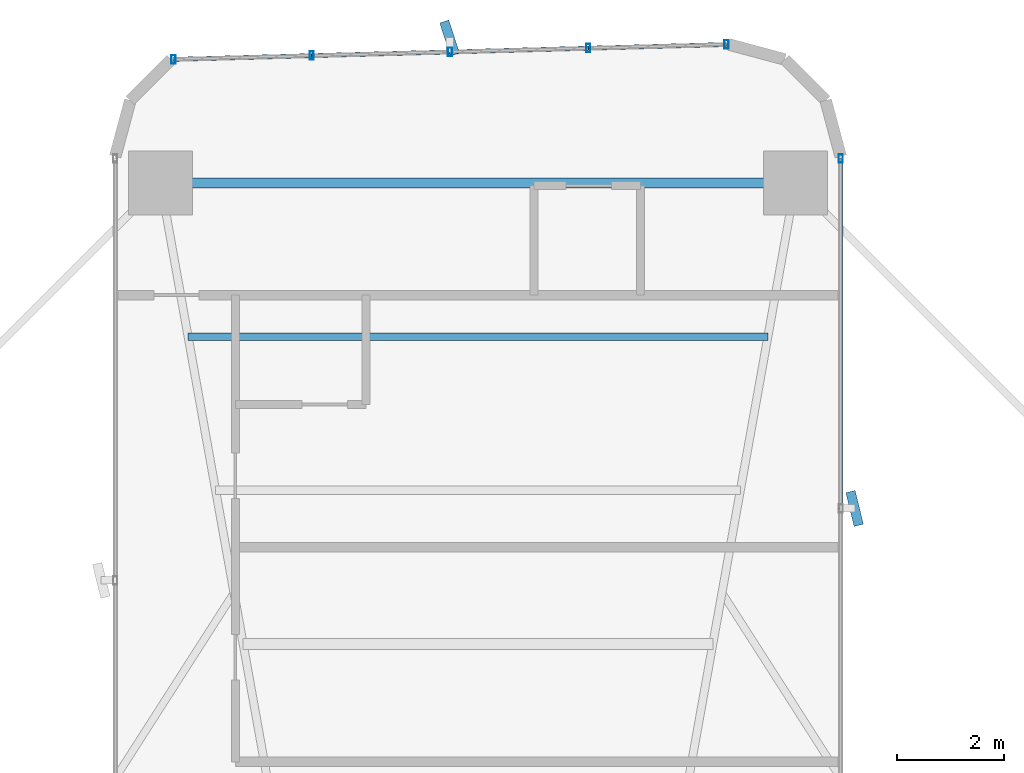
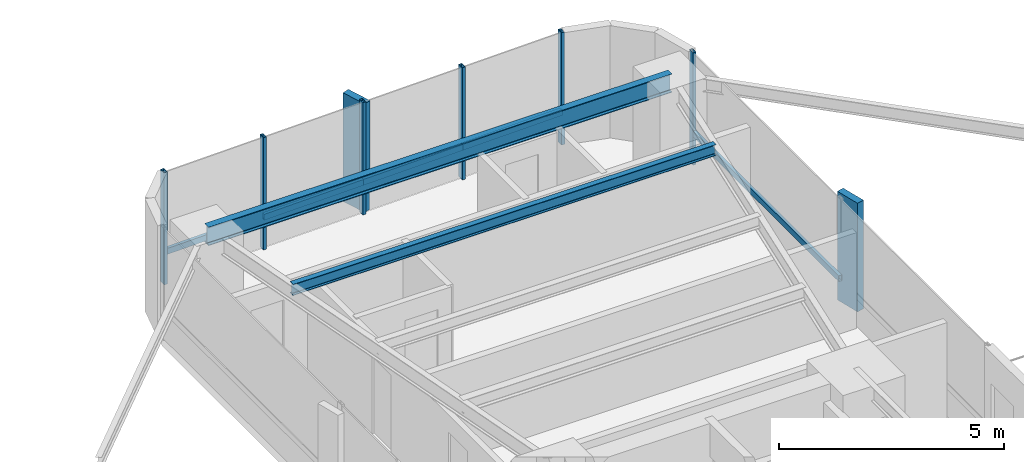
# One storey, part 19 of 26: 13 members, 2 beams, 2 elements without a shape of their own.
"""IFC4 building model written with IfcOpenShell, lengths in metres."""

import ifcopenshell
import ifcopenshell.guid

model = None  # the IFC model being written
_history = None  # IfcOwnerHistory: only IFC2X3 demands one
_inside = {}  # id of a spatial element -> (the spatial element, [elements in it])
_under = {}  # id of a project, library or spatial element -> (it, [spatial elements below it])
_declared = {}  # id of a project -> (the project, [libraries it declares])
_typed = {}  # id of a type object -> (the type object, [elements of that type])
_made_of = {}  # id of a material, layer set ... -> (it, [elements and type objects made of it])


def new_model(schema):
    """Start an empty IFC model of exactly this schema.

    Asked for "IFC4X3", IfcOpenShell would pick the latest addendum, in which some entities
    have other attributes; the version numbers below select the first issue.
    IFC2X3 requires an IfcOwnerHistory on every rooted entity: one is made here for all.
    """
    global model, _history
    if schema == "IFC4X3":
        model = ifcopenshell.file(schema_version=(4, 3, 0, 0))
    else:
        model = ifcopenshell.file(schema=schema)
    _inside.clear()
    _under.clear()
    _declared.clear()
    _typed.clear()
    _made_of.clear()
    _history = None
    if model.schema == "IFC2X3":
        org = make("IfcOrganization", Name="unknown")
        user = make(
            "IfcPersonAndOrganization",
            ThePerson=make("IfcPerson", FamilyName="unknown"),
            TheOrganization=org,
        )
        app = make(
            "IfcApplication",
            ApplicationDeveloper=org,
            Version="unknown",
            ApplicationFullName="unknown",
            ApplicationIdentifier="unknown",
        )
        _history = make(
            "IfcOwnerHistory",
            OwningUser=user,
            OwningApplication=app,
            ChangeAction="ADDED",
            CreationDate=0,
        )
    return model


def make(cls, **values):
    """One entity of the class cls with the attributes given. An attribute that is None is left unset."""
    return model.create_entity(
        cls, **{name: value for name, value in values.items() if value is not None}
    )


def rooted(cls, **values):
    """An entity with a GlobalId (a new one), such as an element, a storey or a relation."""
    return make(cls, GlobalId=ifcopenshell.guid.new(), OwnerHistory=_history, **values)


def si_unit(unit_type, name, prefix=None):
    """IfcSIUnit, for example si_unit("LENGTHUNIT", "METRE", prefix="MILLI")."""
    return make("IfcSIUnit", UnitType=unit_type, Prefix=prefix, Name=name)


def assignment(units):
    """IfcUnitAssignment: the units of a project."""
    return None if units is None else make("IfcUnitAssignment", Units=units)


def point(xyz):
    """IfcCartesianPoint."""
    return None if xyz is None else make("IfcCartesianPoint", Coordinates=xyz)


def direction(xyz):
    """IfcDirection."""
    return None if xyz is None else make("IfcDirection", DirectionRatios=xyz)


def frame(location, z_axis=None, x_axis=None):
    """IfcAxis2Placement3D, a coordinate frame: its origin and axes. An axis left out is left unset."""
    return make(
        "IfcAxis2Placement3D",
        Location=point(location),
        Axis=direction(z_axis),
        RefDirection=direction(x_axis),
    )


def frame_2d(location, x_axis=None):
    """IfcAxis2Placement2D, a coordinate frame in the plane: its origin and x axis."""
    return make(
        "IfcAxis2Placement2D", Location=point(location), RefDirection=direction(x_axis)
    )


def origin():
    """The frame at (0, 0, 0) with its axes left unset."""
    return frame((0.0, 0.0, 0.0))


def origin_2d():
    """The frame at (0, 0) in the plane with its x axis left unset."""
    return frame_2d((0.0, 0.0))


def place(relative_to, where):
    """IfcLocalPlacement: puts the frame where relative to a parent placement (None: the world)."""
    return make(
        "IfcLocalPlacement", PlacementRelTo=relative_to, RelativePlacement=where
    )


def context(
    kind, dimensions, precision=None, world=None, true_north=None, identifier=None
):
    """IfcGeometricRepresentationContext, for example the 3D "Model" context."""
    return make(
        "IfcGeometricRepresentationContext",
        ContextIdentifier=identifier,
        ContextType=kind,
        CoordinateSpaceDimension=dimensions,
        Precision=precision,
        WorldCoordinateSystem=world,
        TrueNorth=true_north,
    )


def subcontext(parent, identifier, kind, view, scale=None):
    """IfcGeometricRepresentationSubContext, for example "Body" below "Model"."""
    return make(
        "IfcGeometricRepresentationSubContext",
        ContextIdentifier=identifier,
        ContextType=kind,
        ParentContext=parent,
        TargetScale=scale,
        TargetView=view,
    )


def project(units=None, contexts=None):
    """IfcProject with its units and contexts."""
    return rooted(
        "IfcProject",
        Name="project",
        RepresentationContexts=contexts,
        UnitsInContext=assignment(units),
    )


def spatial(cls, under=None, at=None, **own):
    """A site, building, storey or space (cls), placed at a placement, below another one or the project."""
    s = rooted(cls, ObjectPlacement=at, **own)
    if under is not None:
        _under.setdefault(under.id(), (under, []))[1].append(s)
    return s


def profile(cls, at=None, kind="AREA", **sizes):
    """A parametric profile (cls). Its sizes go by their IFC names, for example OverallWidth=200.0."""
    return make(cls, ProfileType=kind, Position=at, **sizes)


def rectangle(**sizes):
    """IfcRectangleProfileDef."""
    return profile("IfcRectangleProfileDef", **sizes)


def hollow_rectangle(**sizes):
    """IfcRectangleHollowProfileDef."""
    return profile("IfcRectangleHollowProfileDef", **sizes)


def i_section(**sizes):
    """IfcIShapeProfileDef."""
    return profile("IfcIShapeProfileDef", **sizes)


def extrude(swept, where, along, depth):
    """IfcExtrudedAreaSolid: the profile swept, set in the frame where, extruded along a direction by depth."""
    return make(
        "IfcExtrudedAreaSolid",
        SweptArea=swept,
        Position=where,
        ExtrudedDirection=direction(along),
        Depth=depth,
    )


def shape(context_of_items, identifier, shape_type, items):
    """IfcShapeRepresentation: the items that make up one representation, for example the "Body"."""
    return make(
        "IfcShapeRepresentation",
        ContextOfItems=context_of_items,
        RepresentationIdentifier=identifier,
        RepresentationType=shape_type,
        Items=items,
    )


def source(mapping_origin, context_of_items, identifier, shape_type, items):
    """IfcRepresentationMap: a shape defined once, which mapped items show again and again."""
    return make(
        "IfcRepresentationMap",
        MappingOrigin=mapping_origin,
        MappedRepresentation=shape(context_of_items, identifier, shape_type, items),
    )


def transform(
    local_origin,
    x_axis=None,
    y_axis=None,
    z_axis=None,
    scale=None,
    scale2=None,
    scale3=None,
    uniform=True,
):
    """IfcCartesianTransformationOperator3D, or its non-uniform kind. x_axis, y_axis, z_axis: its Axis1, 2, 3."""
    if uniform:
        return make(
            "IfcCartesianTransformationOperator3D",
            Axis1=direction(x_axis),
            Axis2=direction(y_axis),
            LocalOrigin=point(local_origin),
            Scale=scale,
            Axis3=direction(z_axis),
        )
    return make(
        "IfcCartesianTransformationOperator3DnonUniform",
        Axis1=direction(x_axis),
        Axis2=direction(y_axis),
        LocalOrigin=point(local_origin),
        Scale=scale,
        Axis3=direction(z_axis),
        Scale2=scale2,
        Scale3=scale3,
    )


def mapped(mapping_source, mapping_target):
    """IfcMappedItem: shows the shape of a source again, moved by a transform."""
    return make(
        "IfcMappedItem", MappingSource=mapping_source, MappingTarget=mapping_target
    )


def material(Name=None, Category=None):
    """IfcMaterial."""
    return make("IfcMaterial", Name=Name, Category=Category)


def material_profile(
    of_material, cross_section, Name=None, Category=None, Priority=None
):
    """IfcMaterialProfile: a cross section and its material."""
    return make(
        "IfcMaterialProfile",
        Name=Name,
        Material=of_material,
        Profile=cross_section,
        Priority=Priority,
        Category=Category,
    )


def profile_set(profiles, Name=None, composite=None):
    """IfcMaterialProfileSet."""
    return make(
        "IfcMaterialProfileSet",
        Name=Name,
        MaterialProfiles=profiles,
        CompositeProfile=composite,
    )


def made_of(thing, what):
    """Note that an element or type object is made of a material, layer set ...; save() writes the relation."""
    if what is not None:
        _made_of.setdefault(what.id(), (what, []))[1].append(thing)
    return thing


def type_object(cls, material=None, **own):
    """A type object (cls), such as IfcWallType, which elements share."""
    return made_of(rooted(cls, **own), material)


def element(
    cls,
    number,
    at=None,
    inside=None,
    cuts=None,
    type_object=None,
    material=None,
    context=None,
    identifier="Body",
    shape_type=None,
    held_by="IfcProductDefinitionShape",
    body=None,
    shapes=None,
    **own,
):
    """One element of the class cls, such as IfcWall. Its Tag is "e" and its number.

    at: its placement. inside: the storey or other place that contains it. cuts: it is an
    opening in that element (IfcRelVoidsElement). A single representation is given by context,
    identifier, shape_type and body (its items); several are given by shapes. held_by: the class
    of the entity that holds the representations. save() writes the other relations.
    """
    e = rooted(cls, Tag="e%d" % number, ObjectPlacement=at, **own)
    if body is not None:
        shapes = [shape(context, identifier, shape_type, body)]
    if shapes is not None:
        e.Representation = make(held_by, Representations=shapes)
    if inside is not None:
        _inside.setdefault(inside.id(), (inside, []))[1].append(e)
    if cuts is not None:
        rooted(
            "IfcRelVoidsElement", RelatingBuildingElement=cuts, RelatedOpeningElement=e
        )
    if type_object is not None:
        _typed.setdefault(type_object.id(), (type_object, []))[1].append(e)
    return made_of(e, material)


def aggregate(whole, parts):
    """IfcRelAggregates: a whole, such as a stair, and the parts it consists of."""
    return rooted("IfcRelAggregates", RelatingObject=whole, RelatedObjects=parts)


def save(model, path):
    """Write the relations noted so far, then the file.

    IfcRelAggregates (storeys below a building ...), IfcRelContainedInSpatialStructure (elements
    in a storey), IfcRelDefinesByType, IfcRelAssociatesMaterial and IfcRelDeclares: one each for
    every whole, place, type object, material and project.
    """
    for whole, parts in _under.values():
        aggregate(whole, parts)
    for where, things in _inside.values():
        rooted(
            "IfcRelContainedInSpatialStructure",
            RelatedElements=things,
            RelatingStructure=where,
        )
    for kind, things in _typed.values():
        rooted("IfcRelDefinesByType", RelatedObjects=things, RelatingType=kind)
    for what, things in _made_of.values():
        rooted("IfcRelAssociatesMaterial", RelatedObjects=things, RelatingMaterial=what)
    for by, libraries in _declared.values():
        rooted("IfcRelDeclares", RelatingContext=by, RelatedDefinitions=libraries)
    model.write(path)


model = new_model("IFC4")

# Units and contexts
model_context = context("Model", 3, precision=1e-05, world=origin(), true_north=direction((0.0, 1.0)))
body_context = subcontext(model_context, "Body", "Model", "MODEL_VIEW")
ifc_project = project(units=[si_unit("LENGTHUNIT", "METRE"), si_unit("AREAUNIT", "SQUARE_METRE"), si_unit("VOLUMEUNIT", "CUBIC_METRE"), si_unit("PLANEANGLEUNIT", "RADIAN"), si_unit("MASSUNIT", "GRAM", prefix="KILO")], contexts=[model_context])

# Site, building, storey
site_placement = place(None, origin())
site = spatial("IfcSite", under=ifc_project, at=site_placement, CompositionType="ELEMENT")
building_placement = place(site_placement, origin())
building = spatial("IfcBuilding", under=site, at=building_placement, Name="Sahyath Konkavel Grand Hotel", CompositionType="ELEMENT")
storey_placement = place(building_placement, frame((0.0, 0.0, 43.199951171875)))
storey = spatial("IfcBuildingStorey", under=building, at=storey_placement, Name="L11", CompositionType="ELEMENT", Elevation=43.199951171875)

# Beams
ifc_material_1 = material(Name="Steel E350", Category="steel")
ifc_material_profile_1 = material_profile(ifc_material_1, i_section(OverallWidth=0.179931640625, OverallDepth=0.5, WebThickness=0.01025390625, FlangeThickness=0.01708984375, FilletRadius=0.01708984375, at=origin_2d()), Name="ISMB 500")
ifc_profile_set_1 = profile_set([ifc_material_profile_1], Name="Steel E350")
beam_type_1 = type_object("IfcBeamType", Name="BM-ISMB500", PredefinedType="BEAM", material=ifc_profile_set_1)
shared_shape_1 = source(origin(), body_context, "Body", "SweptSolid", [
    extrude(i_section(OverallWidth=0.179931640625, OverallDepth=0.5, WebThickness=0.01025390625, FlangeThickness=0.01708984375, FilletRadius=0.01708984375, at=origin_2d()), origin(), (0.0, 0.0, 1.0), 11.89990234375),
])
beam_1_placement = place(storey_placement, frame((5.949951171875, 22.199951171875, 2.800048828125), z_axis=(-1.0, 0.0, 0.0), x_axis=(0.0, -1.0, 0.0)))
element("IfcBeam", 1, at=beam_1_placement, inside=storey, type_object=beam_type_1, Name="L11 Wing Tip Edge Beam N", PredefinedType="BEAM", context=body_context, shape_type="MappedRepresentation", body=[
    mapped(shared_shape_1, transform((0.0, 0.0, 0.0), scale=1.0)),
])
ifc_material_profile_2 = material_profile(ifc_material_1, i_section(OverallWidth=0.139892578125, OverallDepth=0.300048828125, WebThickness=0.0078125, FlangeThickness=0.01318359375, FilletRadius=0.013916015625, at=origin_2d()), Name="ISMB 300")
ifc_profile_set_2 = profile_set([ifc_material_profile_2], Name="Steel E350")
beam_type_2 = type_object("IfcBeamType", Name="BM-ISMB300", PredefinedType="BEAM", material=ifc_profile_set_2)
shared_shape_2 = source(origin(), body_context, "Body", "SweptSolid", [
    extrude(i_section(OverallWidth=0.139892578125, OverallDepth=0.300048828125, WebThickness=0.0078125, FlangeThickness=0.01318359375, FilletRadius=0.013916015625, at=origin_2d()), origin(), (0.0, 0.0, 1.0), 10.8681640625),
])
beam_2_placement = place(storey_placement, frame((5.43408203125, 19.320068359375, 2.900146484375), z_axis=(-1.0, 0.0, 0.0), x_axis=(0.0, -1.0, 0.0)))
element("IfcBeam", 2, at=beam_2_placement, inside=storey, type_object=beam_type_2, Name="L11 Secondary Floor Beam N-3", PredefinedType="BEAM", context=body_context, shape_type="MappedRepresentation", body=[
    mapped(shared_shape_2, transform((0.0, 0.0, 0.0), scale=1.0)),
])

# Curtain wall, members
ifc_material_2 = material(Name="Anodised Bronze Aluminium & Low-E Glazing", Category="aluminium")
curtain_wall_type = type_object("IfcCurtainWallType", Name="CW-ZONE1", PredefinedType="NOTDEFINED", material=ifc_material_2)
curtain_wall_1_placement = place(storey_placement, origin())
curtain_wall_1 = element("IfcCurtainWall", 3, at=curtain_wall_1_placement, inside=storey, type_object=curtain_wall_type, Name="L11 Unitised Curtain Wall F12", PredefinedType="NOTDEFINED")
ifc_material_3 = material(Name="Anodised Bronze Aluminium", Category="aluminium")
ifc_material_profile_3 = material_profile(ifc_material_3, hollow_rectangle(XDim=0.080078125, YDim=0.159912109375, WallThickness=0.006103515625, at=origin_2d()), Name="RHS 160x80x6")
ifc_profile_set_3 = profile_set([ifc_material_profile_3], Name="Anodised Bronze Aluminium")
member_type_1 = type_object("IfcMemberType", Name="CW-TRN-160", PredefinedType="USERDEFINED", material=ifc_profile_set_3)
shared_shape_3 = source(origin(), body_context, "Body", "SweptSolid", [
    extrude(hollow_rectangle(XDim=0.080078125, YDim=0.159912109375, WallThickness=0.006103515625, at=origin_2d()), origin(), (0.0, 0.0, 1.0), 2.593505859375),
])
member_1_placement = place(storey_placement, frame((4.659912109375, 24.798828125, 0.85009765625), z_axis=(-0.999637507825, -0.026923093252, 0.0), x_axis=(0.026923093252, -0.999637507825, 0.0)))
member_1 = element("IfcMember", 4, at=member_1_placement, type_object=member_type_1, Name="L11 Curtain Wall Transom F12-0-spandrel", ObjectType="TRANSOM", PredefinedType="USERDEFINED", context=body_context, shape_type="MappedRepresentation", body=[
    mapped(shared_shape_3, transform((0.0, 0.0, 0.0), scale=1.0)),
])
member_2_placement = place(storey_placement, frame((-0.52490234375, 24.6591796875, 0.85009765625), z_axis=(-0.999640036937, -0.02682902444, 0.0), x_axis=(0.02682902444, -0.999640036937, 0.0)))
member_2 = element("IfcMember", 5, at=member_2_placement, type_object=member_type_1, Name="L11 Curtain Wall Transom F12-2-spandrel", ObjectType="TRANSOM", PredefinedType="USERDEFINED", context=body_context, shape_type="MappedRepresentation", body=[
    mapped(shared_shape_3, transform((0.0, 0.0, 0.0), scale=1.0)),
])
member_3_placement = place(storey_placement, frame((-3.117431640625, 24.589599609375, 0.85009765625), z_axis=(-0.999637507825, -0.026923093252, 0.0), x_axis=(0.026923093252, -0.999637507825, 0.0)))
member_3 = element("IfcMember", 6, at=member_3_placement, type_object=member_type_1, Name="L11 Curtain Wall Transom F12-3-spandrel", ObjectType="TRANSOM", PredefinedType="USERDEFINED", context=body_context, shape_type="MappedRepresentation", body=[
    mapped(shared_shape_3, transform((0.0, 0.0, 0.0), scale=1.0)),
])
shared_shape_4 = source(origin(), body_context, "Body", "SweptSolid", [
    extrude(hollow_rectangle(XDim=0.080078125, YDim=0.159912109375, WallThickness=0.006103515625, at=origin_2d()), origin(), (0.0, 0.0, 1.0), 2.59326171875),
])
member_4_placement = place(storey_placement, frame((2.0673828125, 24.72900390625, 0.85009765625), z_axis=(-0.99963743958, -0.026925627022, 0.0), x_axis=(0.026925627022, -0.99963743958, 0.0)))
member_4 = element("IfcMember", 7, at=member_4_placement, type_object=member_type_1, Name="L11 Curtain Wall Transom F12-1-spandrel", ObjectType="TRANSOM", PredefinedType="USERDEFINED", context=body_context, shape_type="MappedRepresentation", body=[
    mapped(shared_shape_4, transform((0.0, 0.0, 0.0), scale=1.0)),
])

curtain_wall_2_placement = place(storey_placement, origin())
curtain_wall_2 = element("IfcCurtainWall", 8, at=curtain_wall_2_placement, inside=storey, type_object=curtain_wall_type, Name="L11 Unitised Curtain Wall F8", PredefinedType="NOTDEFINED")
shared_shape_5 = source(origin(), body_context, "Body", "SweptSolid", [
    extrude(hollow_rectangle(XDim=0.080078125, YDim=0.159912109375, WallThickness=0.006103515625, at=origin_2d()), origin(), (0.0, 0.0, 1.0), 6.559814453125),
])
member_5_placement = place(storey_placement, frame((6.800048828125, 16.10009765625, 0.85009765625), z_axis=(0.0, 1.0, 0.0), x_axis=(-1.0, 0.0, 0.0)))
member_5 = element("IfcMember", 9, at=member_5_placement, type_object=member_type_1, Name="L11 Curtain Wall Transom F8-1-spandrel", ObjectType="TRANSOM", PredefinedType="USERDEFINED", context=body_context, shape_type="MappedRepresentation", body=[
    mapped(shared_shape_5, transform((0.0, 0.0, 0.0), scale=1.0)),
])
ifc_material_profile_4 = material_profile(ifc_material_3, hollow_rectangle(XDim=0.080078125, YDim=0.159912109375, WallThickness=0.006103515625, at=origin_2d()), Name="RHS 160x80x6")
ifc_profile_set_4 = profile_set([ifc_material_profile_4], Name="Anodised Bronze Aluminium")
member_type_2 = type_object("IfcMemberType", Name="CW-MUL-160", PredefinedType="MULLION", material=ifc_profile_set_4)
shared_shape_6 = source(origin(), body_context, "Body", "SweptSolid", [
    extrude(hollow_rectangle(XDim=0.080078125, YDim=0.159912109375, WallThickness=0.006103515625, at=origin_2d()), origin(), (0.0, 0.0, 1.0), 3.050048828125),
])
member_6_placement = place(storey_placement, frame((6.800048828125, 22.659912109375, 0.0), z_axis=(0.0, 0.0, 1.0), x_axis=(1.0, 0.0, 0.0)))
member_6 = element("IfcMember", 10, at=member_6_placement, type_object=member_type_2, Name="L11 Curtain Wall Mullion F8-2", PredefinedType="MULLION", context=body_context, shape_type="MappedRepresentation", body=[
    mapped(shared_shape_6, transform((0.0, 0.0, 0.0), scale=1.0)),
])

# Member
member_7_placement = place(storey_placement, frame((4.659912109375, 24.798828125, 0.0), z_axis=(0.0, 0.0, 1.0), x_axis=(1.0, 0.0, 0.0)))
member_7 = element("IfcMember", 11, at=member_7_placement, type_object=member_type_2, Name="L11 Curtain Wall Mullion F12-0", PredefinedType="MULLION", context=body_context, shape_type="MappedRepresentation", body=[
    mapped(shared_shape_6, transform((0.0, 0.0, 0.0), scale=1.0)),
])

member_8_placement = place(storey_placement, frame((2.0673828125, 24.72900390625, 0.0), z_axis=(0.0, 0.0, 1.0), x_axis=(1.0, 0.0, 0.0)))
member_8 = element("IfcMember", 12, at=member_8_placement, type_object=member_type_2, Name="L11 Curtain Wall Mullion F12-1", PredefinedType="MULLION", context=body_context, shape_type="MappedRepresentation", body=[
    mapped(shared_shape_6, transform((0.0, 0.0, 0.0), scale=1.0)),
])

member_9_placement = place(storey_placement, frame((-0.52490234375, 24.6591796875, 0.0), z_axis=(0.0, 0.0, 1.0), x_axis=(1.0, 0.0, 0.0)))
member_9 = element("IfcMember", 13, at=member_9_placement, type_object=member_type_2, Name="L11 Curtain Wall Mullion F12-2", PredefinedType="MULLION", context=body_context, shape_type="MappedRepresentation", body=[
    mapped(shared_shape_6, transform((0.0, 0.0, 0.0), scale=1.0)),
])

member_10_placement = place(storey_placement, frame((-3.117431640625, 24.589599609375, 0.0), z_axis=(0.0, 0.0, 1.0), x_axis=(1.0, 0.0, 0.0)))
member_10 = element("IfcMember", 14, at=member_10_placement, type_object=member_type_2, Name="L11 Curtain Wall Mullion F12-3", PredefinedType="MULLION", context=body_context, shape_type="MappedRepresentation", body=[
    mapped(shared_shape_6, transform((0.0, 0.0, 0.0), scale=1.0)),
])

member_11_placement = place(storey_placement, frame((-5.7099609375, 24.519775390625, 0.0), z_axis=(0.0, 0.0, 1.0), x_axis=(1.0, 0.0, 0.0)))
member_11 = element("IfcMember", 15, at=member_11_placement, type_object=member_type_2, Name="L11 Curtain Wall Mullion F12-4", PredefinedType="MULLION", context=body_context, shape_type="MappedRepresentation", body=[
    mapped(shared_shape_6, transform((0.0, 0.0, 0.0), scale=1.0)),
])

ifc_material_4 = material(Name="Warm Buff Sandstone Cladding on Concrete C50/60", Category="masonry")
ifc_material_profile_5 = material_profile(ifc_material_4, rectangle(XDim=0.179931640625, YDim=0.64990234375, at=origin_2d()), Name="FIN 180x650")
ifc_profile_set_5 = profile_set([ifc_material_profile_5], Name="Warm Buff Sandstone Cladding on Concrete C50/60")
member_type_3 = type_object("IfcMemberType", Name="FIN-SANDSTONE-650", PredefinedType="MULLION", material=ifc_profile_set_5)
shared_shape_7 = source(origin(), body_context, "Body", "SweptSolid", [
    extrude(rectangle(XDim=0.179931640625, YDim=0.64990234375, at=origin_2d()), origin(), (0.0, 0.0, 1.0), 2.949951171875),
])
member_12_placement = place(storey_placement, frame((7.06005859375, 16.10009765625, 0.050048828125), z_axis=(0.0, 0.0, 1.0), x_axis=(0.970842131618, 0.239719743609, 0.0)))
member_12 = element("IfcMember", 16, at=member_12_placement, type_object=member_type_3, Name="L11 Sandstone Vertical Solar Fin FIN F8-1", PredefinedType="MULLION", context=body_context, shape_type="MappedRepresentation", body=[
    mapped(shared_shape_7, transform((0.0, 0.0, 0.0), scale=1.0)),
])

aggregate(curtain_wall_2, [member_12, member_6, member_5])

member_13_placement = place(storey_placement, frame((-0.531982421875, 24.919189453125, 0.050048828125), z_axis=(0.0, 0.0, 1.0), x_axis=(0.951487058208, 0.307688768178, 0.0)))
member_13 = element("IfcMember", 17, at=member_13_placement, type_object=member_type_3, Name="L11 Sandstone Vertical Solar Fin FIN F12-2", PredefinedType="MULLION", context=body_context, shape_type="MappedRepresentation", body=[
    mapped(shared_shape_7, transform((0.0, 0.0, 0.0), scale=1.0)),
])

aggregate(curtain_wall_1, [member_7, member_8, member_9, member_13, member_10, member_11, member_1, member_4, member_2, member_3])

save(model, "model.ifc")
